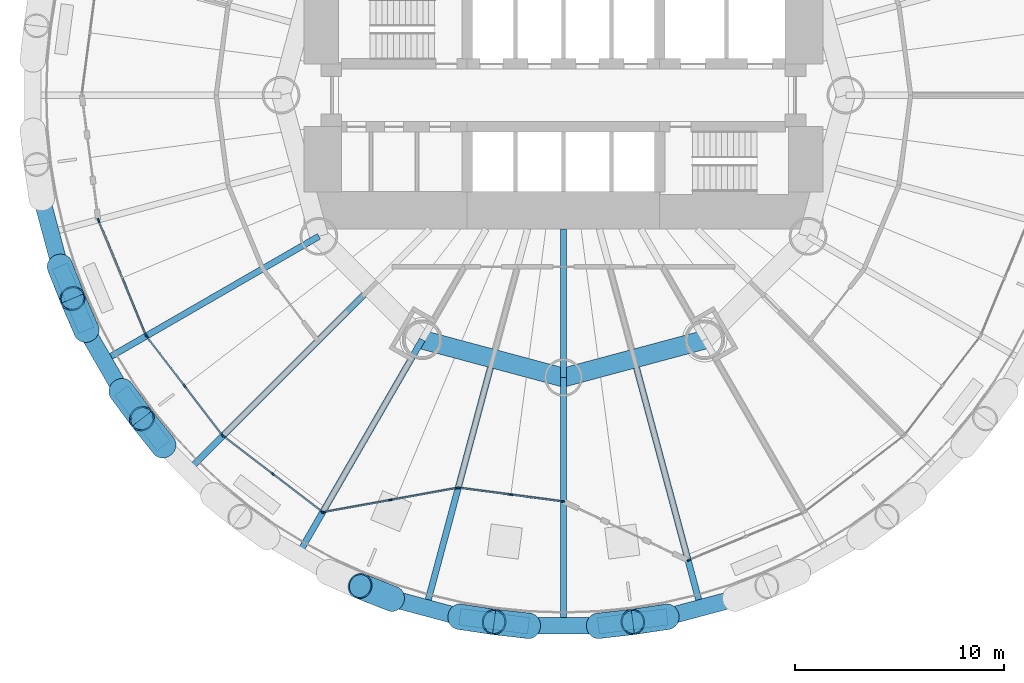
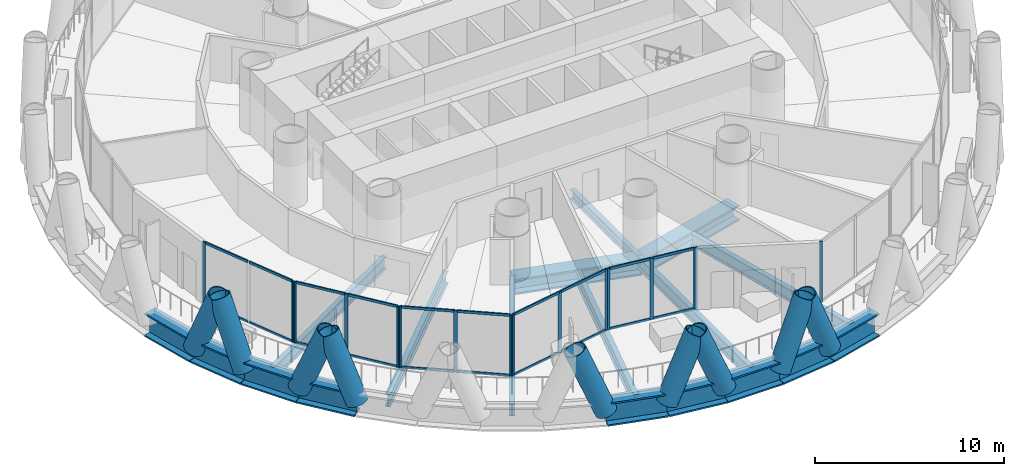
# One storey, part 2 of 15: 44 members, 18 beams, 6 elements without a shape of their own.
"""IFC4 building model written with IfcOpenShell, lengths in metres."""

from ifc_helpers import new_model, si_unit, direction, frame, origin, origin_2d, place, context, subcontext, project, spatial, rectangle, hollow_circle, i_section, extrude, material, material_profile, profile_set, type_object, element, aggregate, save


model = new_model("IFC4")

# Units and contexts
model_context = context("Model", 3, precision=1e-05, world=origin(), true_north=direction((0.0, 1.0)))
body_context = subcontext(model_context, "Body", "Model", "MODEL_VIEW")
ifc_project = project(units=[si_unit("LENGTHUNIT", "METRE"), si_unit("AREAUNIT", "SQUARE_METRE"), si_unit("VOLUMEUNIT", "CUBIC_METRE"), si_unit("PLANEANGLEUNIT", "RADIAN"), si_unit("MASSUNIT", "GRAM", prefix="KILO")], contexts=[model_context])

# Site, building, storey
site_placement = place(None, origin())
site = spatial("IfcSite", under=ifc_project, at=site_placement, CompositionType="ELEMENT")
building_placement = place(site_placement, origin())
building = spatial("IfcBuilding", under=site, at=building_placement, Name="Qaws Media Tower", CompositionType="ELEMENT")
storey_placement = place(building_placement, frame((0.0, 0.0, 97.39990234375)))
storey = spatial("IfcBuildingStorey", under=building, at=storey_placement, Name="L21", CompositionType="ELEMENT", Elevation=97.39990234375)

# Curtain wall, members
ifc_material_1 = material(Name="Aluminium and clear glass", Category="aluminium")
curtain_wall_type_1 = type_object("IfcCurtainWallType", Name="Unitised curtain wall CW-A", PredefinedType="NOTDEFINED", material=ifc_material_1)
curtain_wall_1_placement = place(storey_placement, origin())
curtain_wall_1 = element("IfcCurtainWall", 1, at=curtain_wall_1_placement, inside=storey, type_object=curtain_wall_type_1, Name="CWA curtain wall L21-14", PredefinedType="NOTDEFINED")
ifc_material_2 = material(Name="Aluminium mullion", Category="aluminium")
ifc_material_profile_1 = material_profile(ifc_material_2, rectangle(XDim=0.080078125, YDim=0.199951171875, at=origin_2d()), Name="80x200")
ifc_profile_set_1 = profile_set([ifc_material_profile_1], Name="Aluminium mullion")
member_type_1 = type_object("IfcMemberType", Name="Curtain wall mullion 80x200", PredefinedType="MULLION", material=ifc_profile_set_1)
member_1_placement = place(storey_placement, frame((37.77490234375, 44.003662109375, 0.0), z_axis=(0.0, 0.0, 1.0), x_axis=(0.923879534081, 0.382683428576, 0.0)))
member_1 = element("IfcMember", 2, at=member_1_placement, type_object=member_type_1, Name="CWA mullion 1", PredefinedType="MULLION", context=body_context, shape_type="SweptSolid", body=[
    extrude(rectangle(XDim=0.080078125, YDim=0.199951171875, at=origin_2d()), origin(), (0.0, 0.0, 1.0), 3.9501953125),
])
member_2_placement = place(storey_placement, frame((40.04443359375, 38.5244140625, 0.0), z_axis=(0.0, 0.0, 1.0), x_axis=(0.923879534081, 0.382683428576, 0.0)))
member_2 = element("IfcMember", 3, at=member_2_placement, type_object=member_type_1, Name="CWA mullion 3", PredefinedType="MULLION", context=body_context, shape_type="SweptSolid", body=[
    extrude(rectangle(XDim=0.080078125, YDim=0.199951171875, at=origin_2d()), origin(), (0.0, 0.0, 1.0), 3.9501953125),
])

curtain_wall_2_placement = place(storey_placement, origin())
curtain_wall_2 = element("IfcCurtainWall", 4, at=curtain_wall_2_placement, inside=storey, type_object=curtain_wall_type_1, Name="CWA curtain wall L21-15", PredefinedType="NOTDEFINED")
member_3_placement = place(storey_placement, frame((40.084228515625, 38.455810546875, 0.0), z_axis=(0.0, 0.0, 1.0), x_axis=(0.793353385606, 0.608761369953, 0.0)))
member_3 = element("IfcMember", 5, at=member_3_placement, type_object=member_type_1, Name="CWA mullion 1", PredefinedType="MULLION", context=body_context, shape_type="SweptSolid", body=[
    extrude(rectangle(XDim=0.080078125, YDim=0.199951171875, at=origin_2d()), origin(), (0.0, 0.0, 1.0), 3.9501953125),
])
member_4_placement = place(storey_placement, frame((41.889404296875, 36.103271484375, 0.0), z_axis=(0.0, 0.0, 1.0), x_axis=(0.793353385606, 0.608761369953, 0.0)))
member_4 = element("IfcMember", 6, at=member_4_placement, type_object=member_type_1, Name="CWA mullion 2", PredefinedType="MULLION", context=body_context, shape_type="SweptSolid", body=[
    extrude(rectangle(XDim=0.080078125, YDim=0.199951171875, at=origin_2d()), origin(), (0.0, 0.0, 1.0), 3.9501953125),
])
member_5_placement = place(storey_placement, frame((43.694580078125, 33.75048828125, 0.0), z_axis=(0.0, 0.0, 1.0), x_axis=(0.793353385606, 0.608761369953, 0.0)))
member_5 = element("IfcMember", 7, at=member_5_placement, type_object=member_type_1, Name="CWA mullion 3", PredefinedType="MULLION", context=body_context, shape_type="SweptSolid", body=[
    extrude(rectangle(XDim=0.080078125, YDim=0.199951171875, at=origin_2d()), origin(), (0.0, 0.0, 1.0), 3.9501953125),
])

curtain_wall_3_placement = place(storey_placement, origin())
curtain_wall_3 = element("IfcCurtainWall", 8, at=curtain_wall_3_placement, inside=storey, type_object=curtain_wall_type_1, Name="CWA curtain wall L21-16", PredefinedType="NOTDEFINED")
member_6_placement = place(storey_placement, frame((43.75048828125, 33.694580078125, 0.0), z_axis=(0.0, 0.0, 1.0), x_axis=(0.608761369953, 0.793353385606, 0.0)))
member_6 = element("IfcMember", 9, at=member_6_placement, type_object=member_type_1, Name="CWA mullion 1", PredefinedType="MULLION", context=body_context, shape_type="SweptSolid", body=[
    extrude(rectangle(XDim=0.080078125, YDim=0.199951171875, at=origin_2d()), origin(), (0.0, 0.0, 1.0), 3.9501953125),
])
member_7_placement = place(storey_placement, frame((46.103271484375, 31.889404296875, 0.0), z_axis=(0.0, 0.0, 1.0), x_axis=(0.608761369953, 0.793353385606, 0.0)))
member_7 = element("IfcMember", 10, at=member_7_placement, type_object=member_type_1, Name="CWA mullion 2", PredefinedType="MULLION", context=body_context, shape_type="SweptSolid", body=[
    extrude(rectangle(XDim=0.080078125, YDim=0.199951171875, at=origin_2d()), origin(), (0.0, 0.0, 1.0), 3.9501953125),
])
member_8_placement = place(storey_placement, frame((48.455810546875, 30.084228515625, 0.0), z_axis=(0.0, 0.0, 1.0), x_axis=(0.608761369953, 0.793353385606, 0.0)))
member_8 = element("IfcMember", 11, at=member_8_placement, type_object=member_type_1, Name="CWA mullion 3", PredefinedType="MULLION", context=body_context, shape_type="SweptSolid", body=[
    extrude(rectangle(XDim=0.080078125, YDim=0.199951171875, at=origin_2d()), origin(), (0.0, 0.0, 1.0), 3.9501953125),
])

ifc_material_3 = material(Name="Aluminium and clear glass", Category="aluminium")
curtain_wall_type_2 = type_object("IfcCurtainWallType", Name="Loggia curtain wall CW-G", PredefinedType="NOTDEFINED", material=ifc_material_3)
curtain_wall_4_placement = place(storey_placement, origin())
curtain_wall_4 = element("IfcCurtainWall", 12, at=curtain_wall_4_placement, inside=storey, type_object=curtain_wall_type_2, Name="CWG curtain wall L21-17", PredefinedType="NOTDEFINED")
member_9_placement = place(storey_placement, frame((48.52685546875, 30.06689453125, 0.0), z_axis=(0.0, 0.0, 1.0), x_axis=(-0.178598448605, 0.983922046788, 0.0)))
member_9 = element("IfcMember", 13, at=member_9_placement, type_object=member_type_1, Name="CWG mullion 1", PredefinedType="MULLION", context=body_context, shape_type="SweptSolid", body=[
    extrude(rectangle(XDim=0.080078125, YDim=0.199951171875, at=origin_2d()), origin(), (0.0, 0.0, 1.0), 3.9501953125),
])
member_10_placement = place(storey_placement, frame((51.72998046875, 30.6484375, 0.0), z_axis=(0.0, 0.0, 1.0), x_axis=(-0.178598448605, 0.983922046788, 0.0)))
member_10 = element("IfcMember", 14, at=member_10_placement, type_object=member_type_1, Name="CWG mullion 2", PredefinedType="MULLION", context=body_context, shape_type="SweptSolid", body=[
    extrude(rectangle(XDim=0.080078125, YDim=0.199951171875, at=origin_2d()), origin(), (0.0, 0.0, 1.0), 3.9501953125),
])
member_11_placement = place(storey_placement, frame((54.93310546875, 31.229736328125, 0.0), z_axis=(0.0, 0.0, 1.0), x_axis=(-0.178598448605, 0.983922046788, 0.0)))
member_11 = element("IfcMember", 15, at=member_11_placement, type_object=member_type_1, Name="CWG mullion 3", PredefinedType="MULLION", context=body_context, shape_type="SweptSolid", body=[
    extrude(rectangle(XDim=0.080078125, YDim=0.199951171875, at=origin_2d()), origin(), (0.0, 0.0, 1.0), 3.9501953125),
])

curtain_wall_5_placement = place(storey_placement, origin())
curtain_wall_5 = element("IfcCurtainWall", 16, at=curtain_wall_5_placement, inside=storey, type_object=curtain_wall_type_2, Name="CWG curtain wall L21-18", PredefinedType="NOTDEFINED")
member_12_placement = place(storey_placement, frame((55.01220703125, 31.231689453125, 0.0), z_axis=(0.0, 0.0, 1.0), x_axis=(0.130526225028, 0.991444857055, 0.0)))
member_12 = element("IfcMember", 17, at=member_12_placement, type_object=member_type_1, Name="CWG mullion 1", PredefinedType="MULLION", context=body_context, shape_type="SweptSolid", body=[
    extrude(rectangle(XDim=0.080078125, YDim=0.199951171875, at=origin_2d()), origin(), (0.0, 0.0, 1.0), 3.9501953125),
])
member_13_placement = place(storey_placement, frame((57.486328125, 30.906005859375, 0.0), z_axis=(0.0, 0.0, 1.0), x_axis=(0.130526225028, 0.991444857055, 0.0)))
member_13 = element("IfcMember", 18, at=member_13_placement, type_object=member_type_1, Name="CWG mullion 2", PredefinedType="MULLION", context=body_context, shape_type="SweptSolid", body=[
    extrude(rectangle(XDim=0.080078125, YDim=0.199951171875, at=origin_2d()), origin(), (0.0, 0.0, 1.0), 3.9501953125),
])
member_14_placement = place(storey_placement, frame((59.96044921875, 30.580322265625, 0.0), z_axis=(0.0, 0.0, 1.0), x_axis=(0.130526225028, 0.991444857055, 0.0)))
member_14 = element("IfcMember", 19, at=member_14_placement, type_object=member_type_1, Name="CWG mullion 3", PredefinedType="MULLION", context=body_context, shape_type="SweptSolid", body=[
    extrude(rectangle(XDim=0.080078125, YDim=0.199951171875, at=origin_2d()), origin(), (0.0, 0.0, 1.0), 3.9501953125),
])

# Curtain wall, member
curtain_wall_6_placement = place(storey_placement, origin())
curtain_wall_6 = element("IfcCurtainWall", 20, at=curtain_wall_6_placement, inside=storey, type_object=curtain_wall_type_1, Name="CWA curtain wall L21-20", PredefinedType="NOTDEFINED")
member_15_placement = place(storey_placement, frame((65.996337890625, 27.77490234375, 0.0), z_axis=(0.0, 0.0, 1.0), x_axis=(-0.382683428576, 0.923879534081, 0.0)))
member_15 = element("IfcMember", 21, at=member_15_placement, type_object=member_type_1, Name="CWA mullion 1", PredefinedType="MULLION", context=body_context, shape_type="SweptSolid", body=[
    extrude(rectangle(XDim=0.080078125, YDim=0.199951171875, at=origin_2d()), origin(), (0.0, 0.0, 1.0), 3.9501953125),
])
aggregate(curtain_wall_6, [member_15])

# Member
ifc_material_4 = material(Name="Aluminium transom", Category="aluminium")
ifc_material_profile_2 = material_profile(ifc_material_4, rectangle(XDim=0.080078125, YDim=0.159912109375, at=origin_2d()), Name="80x160")
ifc_profile_set_2 = profile_set([ifc_material_profile_2], Name="Aluminium transom")
member_type_2 = type_object("IfcMemberType", Name="Curtain wall transom 80x160", PredefinedType="USERDEFINED", material=ifc_profile_set_2)
member_16_placement = place(storey_placement, frame((37.790283203125, 43.966796875, 0.0400390625), z_axis=(0.382625805938, -0.923903400053, 0.0), x_axis=(0.923903400053, 0.382625805938, 0.0)))
member_16 = element("IfcMember", 22, at=member_16_placement, type_object=member_type_2, Name="CWA transom 1.1", ObjectType="TRANSOM", PredefinedType="USERDEFINED", context=body_context, shape_type="SweptSolid", body=[
    extrude(rectangle(XDim=0.080078125, YDim=0.159912109375, at=origin_2d()), origin(), (0.0, 0.0, 1.0), 2.88525390625),
])

member_17_placement = place(storey_placement, frame((37.790283203125, 43.966796875, 3.91015625), z_axis=(0.382625805938, -0.923903400053, 0.0), x_axis=(0.923903400053, 0.382625805938, 0.0)))
member_17 = element("IfcMember", 23, at=member_17_placement, type_object=member_type_2, Name="CWA transom 1.2", ObjectType="TRANSOM", PredefinedType="USERDEFINED", context=body_context, shape_type="SweptSolid", body=[
    extrude(rectangle(XDim=0.080078125, YDim=0.159912109375, at=origin_2d()), origin(), (0.0, 0.0, 1.0), 2.88525390625),
])

member_18_placement = place(storey_placement, frame((38.925048828125, 41.22705078125, 0.0400390625), z_axis=(0.382655720012, -0.923891010857, 0.0), x_axis=(0.923891010857, 0.382655720012, 0.0)))
member_18 = element("IfcMember", 24, at=member_18_placement, type_object=member_type_2, Name="CWA transom 2.1", ObjectType="TRANSOM", PredefinedType="USERDEFINED", context=body_context, shape_type="SweptSolid", body=[
    extrude(rectangle(XDim=0.080078125, YDim=0.159912109375, at=origin_2d()), origin(), (0.0, 0.0, 1.0), 2.885009765625),
])

member_19_placement = place(storey_placement, frame((38.925048828125, 41.22705078125, 3.91015625), z_axis=(0.382655720012, -0.923891010857, 0.0), x_axis=(0.923891010857, 0.382655720012, 0.0)))
member_19 = element("IfcMember", 25, at=member_19_placement, type_object=member_type_2, Name="CWA transom 2.2", ObjectType="TRANSOM", PredefinedType="USERDEFINED", context=body_context, shape_type="SweptSolid", body=[
    extrude(rectangle(XDim=0.080078125, YDim=0.159912109375, at=origin_2d()), origin(), (0.0, 0.0, 1.0), 2.885009765625),
])

aggregate(curtain_wall_1, [member_1, member_2, member_16, member_17, member_18, member_19])

member_20_placement = place(storey_placement, frame((40.1083984375, 38.424072265625, 0.0400390625), z_axis=(0.608790302029, -0.793331184409, 0.0), x_axis=(0.793331184409, 0.608790302029, 0.0)))
member_20 = element("IfcMember", 26, at=member_20_placement, type_object=member_type_2, Name="CWA transom 1.1", ObjectType="TRANSOM", PredefinedType="USERDEFINED", context=body_context, shape_type="SweptSolid", body=[
    extrude(rectangle(XDim=0.080078125, YDim=0.159912109375, at=origin_2d()), origin(), (0.0, 0.0, 1.0), 2.885498046875),
])

member_21_placement = place(storey_placement, frame((40.1083984375, 38.424072265625, 3.91015625), z_axis=(0.608790302029, -0.793331184409, 0.0), x_axis=(0.793331184409, 0.608790302029, 0.0)))
member_21 = element("IfcMember", 27, at=member_21_placement, type_object=member_type_2, Name="CWA transom 1.2", ObjectType="TRANSOM", PredefinedType="USERDEFINED", context=body_context, shape_type="SweptSolid", body=[
    extrude(rectangle(XDim=0.080078125, YDim=0.159912109375, at=origin_2d()), origin(), (0.0, 0.0, 1.0), 2.885498046875),
])

member_22_placement = place(storey_placement, frame((41.91357421875, 36.071533203125, 0.0400390625), z_axis=(0.608749438242, -0.793362540986, 0.0), x_axis=(0.793362540986, 0.608749438242, 0.0)))
member_22 = element("IfcMember", 28, at=member_22_placement, type_object=member_type_2, Name="CWA transom 2.1", ObjectType="TRANSOM", PredefinedType="USERDEFINED", context=body_context, shape_type="SweptSolid", body=[
    extrude(rectangle(XDim=0.080078125, YDim=0.159912109375, at=origin_2d()), origin(), (0.0, 0.0, 1.0), 2.885498046875),
])

member_23_placement = place(storey_placement, frame((41.91357421875, 36.071533203125, 3.91015625), z_axis=(0.608749438242, -0.793362540986, 0.0), x_axis=(0.793362540986, 0.608749438242, 0.0)))
member_23 = element("IfcMember", 29, at=member_23_placement, type_object=member_type_2, Name="CWA transom 2.2", ObjectType="TRANSOM", PredefinedType="USERDEFINED", context=body_context, shape_type="SweptSolid", body=[
    extrude(rectangle(XDim=0.080078125, YDim=0.159912109375, at=origin_2d()), origin(), (0.0, 0.0, 1.0), 2.885498046875),
])

aggregate(curtain_wall_2, [member_3, member_4, member_5, member_20, member_21, member_22, member_23])

member_24_placement = place(storey_placement, frame((43.7822265625, 33.670166015625, 0.0400390625), z_axis=(0.793362540986, -0.608749438242, 0.0), x_axis=(0.608749438242, 0.793362540986, 0.0)))
member_24 = element("IfcMember", 30, at=member_24_placement, type_object=member_type_2, Name="CWA transom 1.1", ObjectType="TRANSOM", PredefinedType="USERDEFINED", context=body_context, shape_type="SweptSolid", body=[
    extrude(rectangle(XDim=0.080078125, YDim=0.159912109375, at=origin_2d()), origin(), (0.0, 0.0, 1.0), 2.885498046875),
])

member_25_placement = place(storey_placement, frame((43.7822265625, 33.670166015625, 3.91015625), z_axis=(0.793362540986, -0.608749438242, 0.0), x_axis=(0.608749438242, 0.793362540986, 0.0)))
member_25 = element("IfcMember", 31, at=member_25_placement, type_object=member_type_2, Name="CWA transom 1.2", ObjectType="TRANSOM", PredefinedType="USERDEFINED", context=body_context, shape_type="SweptSolid", body=[
    extrude(rectangle(XDim=0.080078125, YDim=0.159912109375, at=origin_2d()), origin(), (0.0, 0.0, 1.0), 2.885498046875),
])

member_26_placement = place(storey_placement, frame((46.135009765625, 31.864990234375, 0.0400390625), z_axis=(0.793331184409, -0.608790302029, 0.0), x_axis=(0.608790302029, 0.793331184409, 0.0)))
member_26 = element("IfcMember", 32, at=member_26_placement, type_object=member_type_2, Name="CWA transom 2.1", ObjectType="TRANSOM", PredefinedType="USERDEFINED", context=body_context, shape_type="SweptSolid", body=[
    extrude(rectangle(XDim=0.080078125, YDim=0.159912109375, at=origin_2d()), origin(), (0.0, 0.0, 1.0), 2.885498046875),
])

member_27_placement = place(storey_placement, frame((46.135009765625, 31.864990234375, 3.91015625), z_axis=(0.793331184409, -0.608790302029, 0.0), x_axis=(0.608790302029, 0.793331184409, 0.0)))
member_27 = element("IfcMember", 33, at=member_27_placement, type_object=member_type_2, Name="CWA transom 2.2", ObjectType="TRANSOM", PredefinedType="USERDEFINED", context=body_context, shape_type="SweptSolid", body=[
    extrude(rectangle(XDim=0.080078125, YDim=0.159912109375, at=origin_2d()), origin(), (0.0, 0.0, 1.0), 2.885498046875),
])

aggregate(curtain_wall_3, [member_6, member_7, member_8, member_24, member_25, member_26, member_27])

member_28_placement = place(storey_placement, frame((48.566162109375, 30.073974609375, 0.0400390625), z_axis=(0.983922761203, 0.178594512758, 0.0), x_axis=(-0.178594512758, 0.983922761203, 0.0)))
member_28 = element("IfcMember", 34, at=member_28_placement, type_object=member_type_2, Name="CWG transom 1.1", ObjectType="TRANSOM", PredefinedType="USERDEFINED", context=body_context, shape_type="SweptSolid", body=[
    extrude(rectangle(XDim=0.080078125, YDim=0.159912109375, at=origin_2d()), origin(), (0.0, 0.0, 1.0), 3.175537109375),
])

member_29_placement = place(storey_placement, frame((48.566162109375, 30.073974609375, 3.91015625), z_axis=(0.983922761203, 0.178594512758, 0.0), x_axis=(-0.178594512758, 0.983922761203, 0.0)))
member_29 = element("IfcMember", 35, at=member_29_placement, type_object=member_type_2, Name="CWG transom 1.2", ObjectType="TRANSOM", PredefinedType="USERDEFINED", context=body_context, shape_type="SweptSolid", body=[
    extrude(rectangle(XDim=0.080078125, YDim=0.159912109375, at=origin_2d()), origin(), (0.0, 0.0, 1.0), 3.175537109375),
])

member_30_placement = place(storey_placement, frame((51.769287109375, 30.655517578125, 0.0400390625), z_axis=(0.983922761203, 0.178594512758, 0.0), x_axis=(-0.178594512758, 0.983922761203, 0.0)))
member_30 = element("IfcMember", 36, at=member_30_placement, type_object=member_type_2, Name="CWG transom 2.1", ObjectType="TRANSOM", PredefinedType="USERDEFINED", context=body_context, shape_type="SweptSolid", body=[
    extrude(rectangle(XDim=0.080078125, YDim=0.159912109375, at=origin_2d()), origin(), (0.0, 0.0, 1.0), 3.175537109375),
])

member_31_placement = place(storey_placement, frame((51.769287109375, 30.655517578125, 3.91015625), z_axis=(0.983922761203, 0.178594512758, 0.0), x_axis=(-0.178594512758, 0.983922761203, 0.0)))
member_31 = element("IfcMember", 37, at=member_31_placement, type_object=member_type_2, Name="CWG transom 2.2", ObjectType="TRANSOM", PredefinedType="USERDEFINED", context=body_context, shape_type="SweptSolid", body=[
    extrude(rectangle(XDim=0.080078125, YDim=0.159912109375, at=origin_2d()), origin(), (0.0, 0.0, 1.0), 3.175537109375),
])

aggregate(curtain_wall_4, [member_9, member_10, member_11, member_28, member_29, member_30, member_31])

member_32_placement = place(storey_placement, frame((55.0517578125, 31.2265625, 0.0400390625), z_axis=(0.991436741362, -0.130587855015, 0.0), x_axis=(0.130587855015, 0.991436741362, 0.0)))
member_32 = element("IfcMember", 38, at=member_32_placement, type_object=member_type_2, Name="CWG transom 1.1", ObjectType="TRANSOM", PredefinedType="USERDEFINED", context=body_context, shape_type="SweptSolid", body=[
    extrude(rectangle(XDim=0.080078125, YDim=0.159912109375, at=origin_2d()), origin(), (0.0, 0.0, 1.0), 2.41552734375),
])

member_33_placement = place(storey_placement, frame((55.0517578125, 31.2265625, 3.91015625), z_axis=(0.991436741362, -0.130587855015, 0.0), x_axis=(0.130587855015, 0.991436741362, 0.0)))
member_33 = element("IfcMember", 39, at=member_33_placement, type_object=member_type_2, Name="CWG transom 1.2", ObjectType="TRANSOM", PredefinedType="USERDEFINED", context=body_context, shape_type="SweptSolid", body=[
    extrude(rectangle(XDim=0.080078125, YDim=0.159912109375, at=origin_2d()), origin(), (0.0, 0.0, 1.0), 2.41552734375),
])

member_34_placement = place(storey_placement, frame((57.52587890625, 30.900634765625, 0.0400390625), z_axis=(0.991449822592, -0.130488502494, 0.0), x_axis=(0.130488502494, 0.991449822592, 0.0)))
member_34 = element("IfcMember", 40, at=member_34_placement, type_object=member_type_2, Name="CWG transom 2.1", ObjectType="TRANSOM", PredefinedType="USERDEFINED", context=body_context, shape_type="SweptSolid", body=[
    extrude(rectangle(XDim=0.080078125, YDim=0.159912109375, at=origin_2d()), origin(), (0.0, 0.0, 1.0), 2.41552734375),
])

member_35_placement = place(storey_placement, frame((57.52587890625, 30.900634765625, 3.91015625), z_axis=(0.991449822592, -0.130488502494, 0.0), x_axis=(0.130488502494, 0.991449822592, 0.0)))
member_35 = element("IfcMember", 41, at=member_35_placement, type_object=member_type_2, Name="CWG transom 2.2", ObjectType="TRANSOM", PredefinedType="USERDEFINED", context=body_context, shape_type="SweptSolid", body=[
    extrude(rectangle(XDim=0.080078125, YDim=0.159912109375, at=origin_2d()), origin(), (0.0, 0.0, 1.0), 2.41552734375),
])

aggregate(curtain_wall_5, [member_12, member_13, member_14, member_32, member_33, member_34, member_35])

# Members
ifc_material_5 = material(Name="Steel S460", Category="steel")
ifc_material_profile_3 = material_profile(ifc_material_5, hollow_circle(Radius=0.609619140625, WallThickness=0.06005859375, at=origin_2d()), Name="CHS 1219x60")
ifc_profile_set_3 = profile_set([ifc_material_profile_3], Name="Steel S460")
member_type_3 = type_object("IfcMemberType", Name="Diagrid member CHS 1219x60", PredefinedType="USERDEFINED", material=ifc_profile_set_3)
for number, where, z_axis, x_axis, name in (
    (42, (35.92431640625, 41.827392578125, -0.909912109375), (0.137381625873, -0.349042936435, 0.926981832291), (0.93051757072, 0.366247253344, 0.0), "DG1 diagrid L21 A14"),
    (43, (38.85986328125, 35.87451171875, -0.909912109375), (0.223059242955, -0.301578739488, 0.926981573723), (0.803980853695, 0.594655183188, 0.0), "DG1 diagrid L21 A15"),
    (44, (37.197021484375, 38.7548828125, -0.909912109375), (-0.149662418634, 0.343926220304, 0.926992942495), (-0.916943977538, -0.399015967171, 0.0), "DG1 diagrid L21 B15"),
    (45, (40.884521484375, 33.236083984375, -0.909912109375), (-0.233577882424, 0.293486589655, 0.926988130741), (-0.782441736387, -0.622723798453, 0.0), "DG1 diagrid L21 B16"),
    (46, (55.039794921875, 25.0634765625, -0.909912109375), (0.370960571653, -0.055503674666, 0.926988455363), (0.147974340224, 0.988991200484, 0.0), "DG1 diagrid L21 A18"),
    (47, (51.827392578125, 25.92431640625, -0.909912109375), (-0.349042936435, 0.137381625873, 0.926981832291), (-0.366247253344, -0.93051757072, 0.0), "DG1 diagrid L21 B18"),
    (48, (61.662841796875, 24.62939453125, -0.909912109375), (0.372717492007, 0.042398060104, 0.926975768643), (-0.113024960064, 0.993592148924, 0.0), "DG1 diagrid L21 A19"),
    (49, (58.337158203125, 24.62939453125, -0.909912109375), (-0.372717492007, 0.042398060104, 0.926975768643), (-0.113024960064, -0.993592148924, 0.0), "DG1 diagrid L21 B19"),
    (50, (64.960205078125, 25.0634765625, -0.909912109375), (-0.370960571653, -0.055503674666, 0.926988455363), (0.147974340224, -0.988991200484, 0.0), "DG1 diagrid L21 B20"),
):
    element("IfcMember", number, at=place(storey_placement, frame(where, z_axis=z_axis, x_axis=x_axis)), inside=storey, type_object=member_type_3, Name=name, ObjectType="DIAGRID", PredefinedType="USERDEFINED", context=body_context, shape_type="SweptSolid", body=[
        extrude(hollow_circle(Radius=0.609619140625, WallThickness=0.06005859375, at=origin_2d()), origin(), (0.0, 0.0, 1.0), 4.433837890625),
    ])

# Beams
ifc_material_6 = material(Name="Steel S460", Category="steel")
ifc_material_profile_4 = material_profile(ifc_material_6, i_section(OverallWidth=0.800048828125, OverallDepth=1.5, WebThickness=0.0400390625, FlangeThickness=0.10009765625, at=origin_2d()), Name="PG 1500x800")
ifc_profile_set_4 = profile_set([ifc_material_profile_4], Name="Steel S460")
beam_type_1 = type_object("IfcBeamType", Name="Edge ring beam PG 1500x800", PredefinedType="BEAM", material=ifc_profile_set_4)
for number, where, z_axis, x_axis, name in (
    (51, (35.0634765625, 45.039794921875, -0.909912109375), (0.258841272413, -0.965919870225, 0.0), (0.965919870225, 0.258841272413, 0.0), "RB7 edge ring beam L21-26"),
    (52, (35.92431640625, 41.827392578125, -0.909912109375), (0.382691096785, -0.923876357767, 0.0), (0.923876357767, 0.382691096785, 0.0), "RB7 edge ring beam L21-27"),
):
    element("IfcBeam", number, at=place(storey_placement, frame(where, z_axis=z_axis, x_axis=x_axis)), inside=storey, type_object=beam_type_1, Name=name, PredefinedType="BEAM", context=body_context, shape_type="SweptSolid", body=[
        extrude(i_section(OverallWidth=0.800048828125, OverallDepth=1.5, WebThickness=0.0400390625, FlangeThickness=0.10009765625, at=origin_2d()), origin(), (0.0, 0.0, 1.0), 3.32568359375),
    ])
beam_1_placement = place(storey_placement, frame((37.197021484375, 38.7548828125, -0.909912109375), z_axis=(0.499968151968, -0.866043790474, 0.0), x_axis=(0.866043790474, 0.499968151968, 0.0)))
element("IfcBeam", 53, at=beam_1_placement, inside=storey, type_object=beam_type_1, Name="RB7 edge ring beam L21-28", PredefinedType="BEAM", context=body_context, shape_type="SweptSolid", body=[
    extrude(i_section(OverallWidth=0.800048828125, OverallDepth=1.5, WebThickness=0.0400390625, FlangeThickness=0.10009765625, at=origin_2d()), origin(), (0.0, 0.0, 1.0), 3.325927734375),
])
for number, where, z_axis, x_axis, name in (
    (54, (38.85986328125, 35.87451171875, -0.909912109375), (0.608784403568, -0.793335710763, 0.0), (0.793335710763, 0.608784403568, 0.0), "RB7 edge ring beam L21-29"),
    (55, (51.827392578125, 25.92431640625, -0.909912109375), (0.965919870225, -0.258841272413, 0.0), (0.258841272413, 0.965919870225, 0.0), "RB7 edge ring beam L21-34"),
):
    element("IfcBeam", number, at=place(storey_placement, frame(where, z_axis=z_axis, x_axis=x_axis)), inside=storey, type_object=beam_type_1, Name=name, PredefinedType="BEAM", context=body_context, shape_type="SweptSolid", body=[
        extrude(i_section(OverallWidth=0.800048828125, OverallDepth=1.5, WebThickness=0.0400390625, FlangeThickness=0.10009765625, at=origin_2d()), origin(), (0.0, 0.0, 1.0), 3.32568359375),
    ])
beam_2_placement = place(storey_placement, frame((55.039794921875, 25.0634765625, -0.909912109375), z_axis=(0.991445798324, -0.130519075183, 0.0), x_axis=(0.130519075183, 0.991445798324, 0.0)))
element("IfcBeam", 56, at=beam_2_placement, inside=storey, type_object=beam_type_1, Name="RB7 edge ring beam L21-35", PredefinedType="BEAM", context=body_context, shape_type="SweptSolid", body=[
    extrude(i_section(OverallWidth=0.800048828125, OverallDepth=1.5, WebThickness=0.0400390625, FlangeThickness=0.10009765625, at=origin_2d()), origin(), (0.0, 0.0, 1.0), 3.325927734375),
])
beam_3_placement = place(storey_placement, frame((58.337158203125, 24.62939453125, -0.909912109375), z_axis=(1.0, 0.0, 0.0), x_axis=(0.0, 1.0, 0.0)))
element("IfcBeam", 57, at=beam_3_placement, inside=storey, type_object=beam_type_1, Name="RB7 edge ring beam L21-36", PredefinedType="BEAM", context=body_context, shape_type="SweptSolid", body=[
    extrude(i_section(OverallWidth=0.800048828125, OverallDepth=1.5, WebThickness=0.0400390625, FlangeThickness=0.10009765625, at=origin_2d()), origin(), (0.0, 0.0, 1.0), 3.32568359375),
])
beam_4_placement = place(storey_placement, frame((61.662841796875, 24.62939453125, -0.909912109375), z_axis=(0.991445798324, 0.130519075183, 0.0), x_axis=(-0.130519075183, 0.991445798324, 0.0)))
element("IfcBeam", 58, at=beam_4_placement, inside=storey, type_object=beam_type_1, Name="RB7 edge ring beam L21-37", PredefinedType="BEAM", context=body_context, shape_type="SweptSolid", body=[
    extrude(i_section(OverallWidth=0.800048828125, OverallDepth=1.5, WebThickness=0.0400390625, FlangeThickness=0.10009765625, at=origin_2d()), origin(), (0.0, 0.0, 1.0), 3.325927734375),
])
beam_5_placement = place(storey_placement, frame((64.960205078125, 25.0634765625, -0.909912109375), z_axis=(0.965919870225, 0.258841272413, 0.0), x_axis=(-0.258841272413, 0.965919870225, 0.0)))
element("IfcBeam", 59, at=beam_5_placement, inside=storey, type_object=beam_type_1, Name="RB7 edge ring beam L21-38", PredefinedType="BEAM", context=body_context, shape_type="SweptSolid", body=[
    extrude(i_section(OverallWidth=0.800048828125, OverallDepth=1.5, WebThickness=0.0400390625, FlangeThickness=0.10009765625, at=origin_2d()), origin(), (0.0, 0.0, 1.0), 3.32568359375),
])
ifc_material_7 = material(Name="Steel S460", Category="steel")
ifc_material_profile_5 = material_profile(ifc_material_7, i_section(OverallWidth=0.89990234375, OverallDepth=1.0, WebThickness=0.044921875, FlangeThickness=0.110107421875, at=origin_2d()), Name="PG 1000x900")
ifc_profile_set_5 = profile_set([ifc_material_profile_5], Name="Steel S460")
beam_type_2 = type_object("IfcBeamType", Name="Inner ring girder PG 1000x900", PredefinedType="BEAM", material=ifc_profile_set_5)
for number, where, z_axis, x_axis, name in (
    (60, (53.25, 38.30859375, -0.659912109375), (0.965928090778, -0.258810593767, 0.0), (0.258810593767, 0.965928090778, 0.0), "B3 inner ring beam L21 I09-I10"),
    (61, (60.0, 36.5, -0.659912109375), (0.965928090778, 0.258810593767, 0.0), (-0.258810593767, 0.965928090778, 0.0), "B3 inner ring beam L21 I10-I11"),
):
    element("IfcBeam", number, at=place(storey_placement, frame(where, z_axis=z_axis, x_axis=x_axis)), inside=storey, type_object=beam_type_2, Name=name, PredefinedType="BEAM", context=body_context, shape_type="SweptSolid", body=[
        extrude(i_section(OverallWidth=0.89990234375, OverallDepth=1.0, WebThickness=0.044921875, FlangeThickness=0.110107421875, at=origin_2d()), origin(), (0.0, 0.0, 1.0), 6.988037109375),
    ])
ifc_material_8 = material(Name="Steel S355", Category="steel")
ifc_material_profile_6 = material_profile(ifc_material_8, i_section(OverallWidth=0.304931640625, OverallDepth=0.6201171875, WebThickness=0.02099609375, FlangeThickness=0.0400390625, FilletRadius=0.027099609375, at=origin_2d()), Name="HE 600 M")
ifc_profile_set_6 = profile_set([ifc_material_profile_6], Name="Steel S355")
beam_type_3 = type_object("IfcBeamType", Name="Radial beam HE 600 M, core side", PredefinedType="BEAM", material=ifc_profile_set_6)
beam_6_placement = place(storey_placement, frame((60.0, 43.60009765625, -0.469970703125), z_axis=(0.0, -1.0, 0.0), x_axis=(1.0, 0.0, 0.0)))
element("IfcBeam", 62, at=beam_6_placement, inside=storey, type_object=beam_type_3, Name="B2 radial beam L21 19", PredefinedType="BEAM", context=body_context, shape_type="SweptSolid", body=[
    extrude(i_section(OverallWidth=0.304931640625, OverallDepth=0.6201171875, WebThickness=0.02099609375, FlangeThickness=0.0400390625, FilletRadius=0.027099609375, at=origin_2d()), origin(), (0.0, 0.0, 1.0), 7.10009765625),
])
ifc_material_9 = material(Name="Steel S355", Category="steel")
ifc_material_profile_7 = material_profile(ifc_material_9, i_section(OverallWidth=0.300048828125, OverallDepth=0.800048828125, WebThickness=0.017578125, FlangeThickness=0.032958984375, FilletRadius=0.030029296875, at=origin_2d()), Name="HE 800 B")
ifc_profile_set_7 = profile_set([ifc_material_profile_7], Name="Steel S355")
beam_type_4 = type_object("IfcBeamType", Name="Radial beam HE 800 B", PredefinedType="BEAM", material=ifc_profile_set_7)
beam_7_placement = place(storey_placement, frame((48.30859375, 43.25, -0.559814453125), z_axis=(-0.866020842044, -0.500007901084, 0.0), x_axis=(0.500007901084, -0.866020842044, 0.0)))
element("IfcBeam", 63, at=beam_7_placement, inside=storey, type_object=beam_type_4, Name="B1 radial beam L21 15", PredefinedType="BEAM", context=body_context, shape_type="SweptSolid", body=[
    extrude(i_section(OverallWidth=0.300048828125, OverallDepth=0.800048828125, WebThickness=0.017578125, FlangeThickness=0.032958984375, FilletRadius=0.030029296875, at=origin_2d()), origin(), (0.0, 0.0, 1.0), 11.870361328125),
])
beam_8_placement = place(storey_placement, frame((50.461181640625, 40.461181640625, -0.559814453125), z_axis=(-0.707106781187, -0.707106781187, 0.0), x_axis=(0.707106781187, -0.707106781187, 0.0)))
element("IfcBeam", 64, at=beam_8_placement, inside=storey, type_object=beam_type_4, Name="B1 radial beam L21 16", PredefinedType="BEAM", context=body_context, shape_type="SweptSolid", body=[
    extrude(i_section(OverallWidth=0.300048828125, OverallDepth=0.800048828125, WebThickness=0.017578125, FlangeThickness=0.032958984375, FilletRadius=0.030029296875, at=origin_2d()), origin(), (0.0, 0.0, 1.0), 11.880615234375),
])
beam_9_placement = place(storey_placement, frame((53.25, 38.30859375, -0.559814453125), z_axis=(-0.500007901084, -0.866020842044, 0.0), x_axis=(0.866020842044, -0.500007901084, 0.0)))
element("IfcBeam", 65, at=beam_9_placement, inside=storey, type_object=beam_type_4, Name="B1 radial beam L21 17", PredefinedType="BEAM", context=body_context, shape_type="SweptSolid", body=[
    extrude(i_section(OverallWidth=0.300048828125, OverallDepth=0.800048828125, WebThickness=0.017578125, FlangeThickness=0.032958984375, FilletRadius=0.030029296875, at=origin_2d()), origin(), (0.0, 0.0, 1.0), 11.870361328125),
])
beam_10_placement = place(storey_placement, frame((56.508544921875, 36.9697265625, -0.559814453125), z_axis=(-0.258819969422, -0.965925578618, 0.0), x_axis=(0.965925578618, -0.258819969422, 0.0)))
element("IfcBeam", 66, at=beam_10_placement, inside=storey, type_object=beam_type_4, Name="B1 radial beam L21 18", PredefinedType="BEAM", context=body_context, shape_type="SweptSolid", body=[
    extrude(i_section(OverallWidth=0.300048828125, OverallDepth=0.800048828125, WebThickness=0.017578125, FlangeThickness=0.032958984375, FilletRadius=0.030029296875, at=origin_2d()), origin(), (0.0, 0.0, 1.0), 11.880615234375),
])
beam_11_placement = place(storey_placement, frame((60.0, 36.5, -0.559814453125), z_axis=(0.0, -1.0, 0.0), x_axis=(1.0, 0.0, 0.0)))
element("IfcBeam", 67, at=beam_11_placement, inside=storey, type_object=beam_type_4, Name="B1 radial beam L21 19", PredefinedType="BEAM", context=body_context, shape_type="SweptSolid", body=[
    extrude(i_section(OverallWidth=0.300048828125, OverallDepth=0.800048828125, WebThickness=0.017578125, FlangeThickness=0.032958984375, FilletRadius=0.030029296875, at=origin_2d()), origin(), (0.0, 0.0, 1.0), 11.87060546875),
])
beam_12_placement = place(storey_placement, frame((63.491455078125, 36.9697265625, -0.559814453125), z_axis=(0.258819969422, -0.965925578618, 0.0), x_axis=(0.965925578618, 0.258819969422, 0.0)))
element("IfcBeam", 68, at=beam_12_placement, inside=storey, type_object=beam_type_4, Name="B1 radial beam L21 20", PredefinedType="BEAM", context=body_context, shape_type="SweptSolid", body=[
    extrude(i_section(OverallWidth=0.300048828125, OverallDepth=0.800048828125, WebThickness=0.017578125, FlangeThickness=0.032958984375, FilletRadius=0.030029296875, at=origin_2d()), origin(), (0.0, 0.0, 1.0), 11.880615234375),
])

save(model, "model.ifc")
